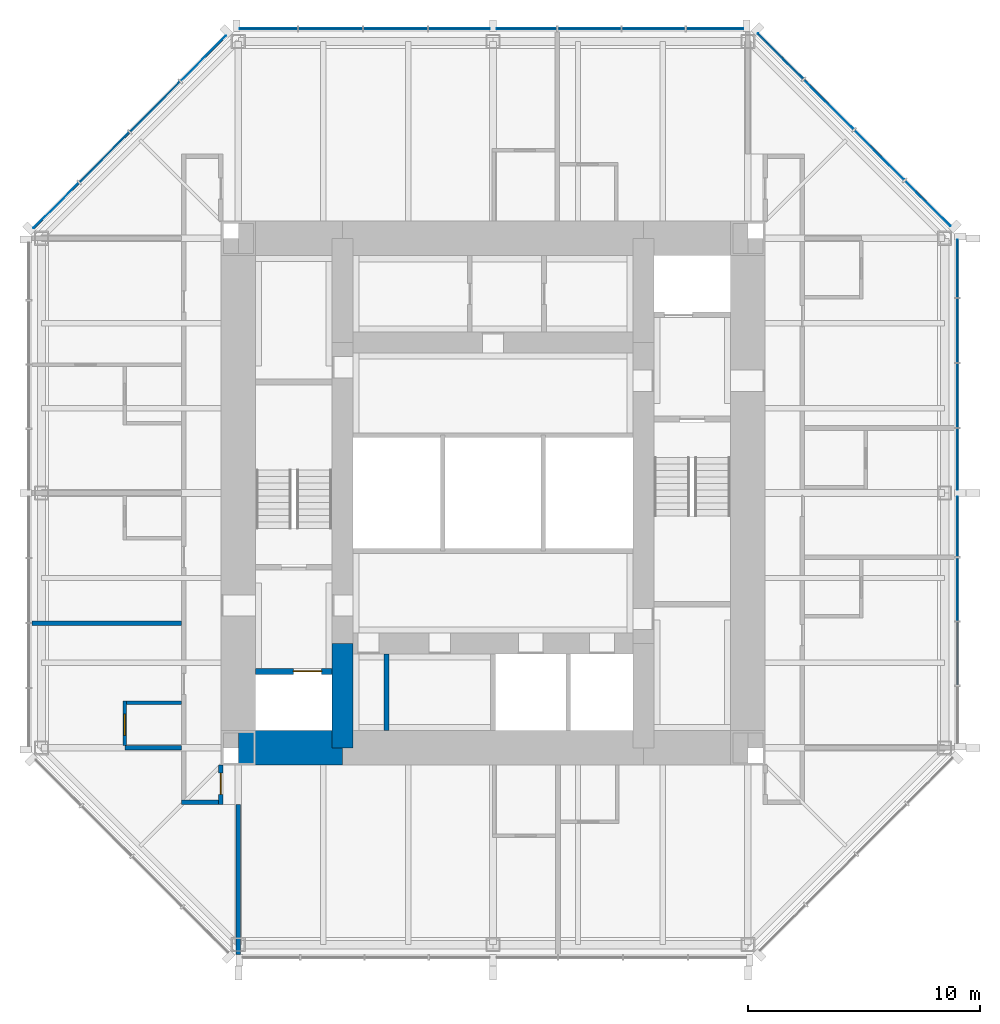
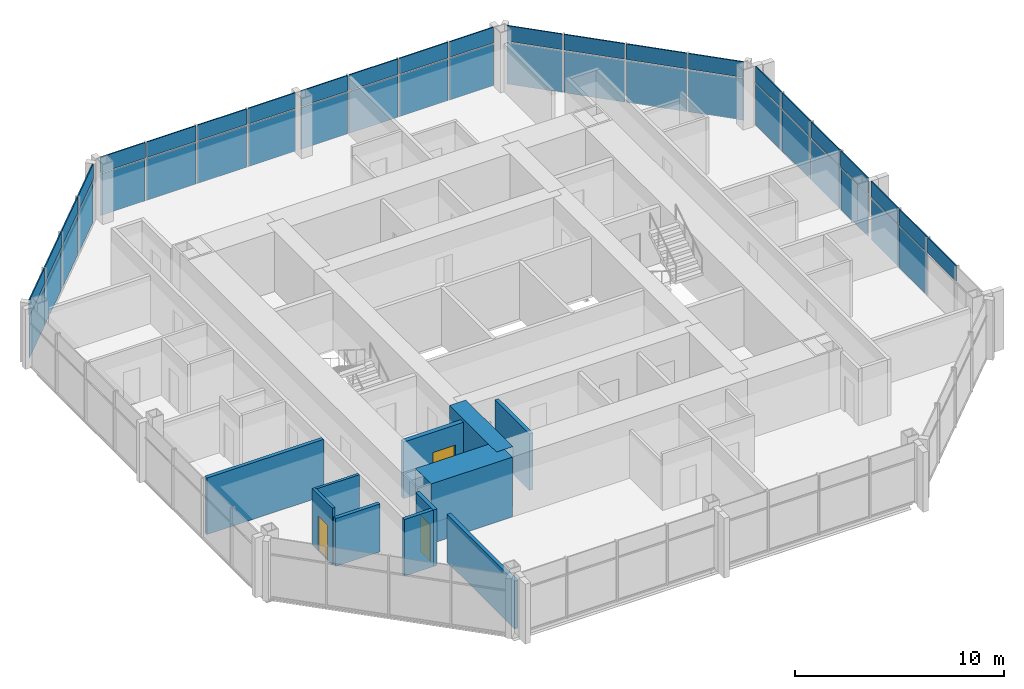
# One storey, part 7 of 11: 45 plates, 11 walls, 3 doors, 3 openings, 4 elements without a shape of their own.
"""IFC4 building model written with IfcOpenShell, lengths in metres."""

from ifc_helpers import new_model, si_unit, direction, frame, frame_2d, origin, origin_2d, place, context, subcontext, project, spatial, rectangle, extrude, material, layer, layer_set, type_object, element, fill, aggregate, save


model = new_model("IFC4")

# Units and contexts
model_context = context("Model", 3, precision=1e-05, world=origin(), true_north=direction((0.0, 1.0)))
body_context = subcontext(model_context, "Body", "Model", "MODEL_VIEW")
ifc_project = project(units=[si_unit("LENGTHUNIT", "METRE"), si_unit("AREAUNIT", "SQUARE_METRE"), si_unit("VOLUMEUNIT", "CUBIC_METRE"), si_unit("PLANEANGLEUNIT", "RADIAN"), si_unit("MASSUNIT", "GRAM", prefix="KILO")], contexts=[model_context])

# Site, building, storey
site_placement = place(None, origin())
site = spatial("IfcSite", under=ifc_project, at=site_placement, CompositionType="ELEMENT")
building_placement = place(site_placement, origin())
building = spatial("IfcBuilding", under=site, at=building_placement, Name="Trevanion Tower", CompositionType="ELEMENT")
storey_placement = place(building_placement, frame((0.0, 0.0, 243.199951171875)))
storey = spatial("IfcBuildingStorey", under=building, at=storey_placement, Name="L59", CompositionType="ELEMENT", Elevation=243.199951171875)

# Curtain wall, plates
ifc_material_1 = material(Name="Aluminium and glass", Category="aluminium")
curtain_wall_type = type_object("IfcCurtainWallType", Name="CW3 curtain wall", PredefinedType="USERDEFINED", material=ifc_material_1)
curtain_wall_1_placement = place(storey_placement, origin())
curtain_wall_1 = element("IfcCurtainWall", 1, at=curtain_wall_1_placement, inside=storey, type_object=curtain_wall_type, Name="CW3 L59 0", ObjectType="UNITISED CURTAIN WALL", PredefinedType="USERDEFINED")
ifc_material_2 = material(Name="Aluminium spandrel panel", Category="aluminium")
ifc_layer_1 = layer(ifc_material_2, 0.06005859375)
ifc_layer_set_1 = layer_set([ifc_layer_1], Name="CW3 spandrel panel")
plate_type_1 = type_object("IfcPlateType", Name="CW3 spandrel panel", PredefinedType="CURTAIN_PANEL", material=ifc_layer_set_1)
plate_1_placement = place(storey_placement, frame((20.050048828125, -6.93603515625, 2.3974609375), z_axis=(0.0, 0.0, 1.0), x_axis=(0.0, 1.0, 0.0)))
plate_1 = element("IfcPlate", 2, at=plate_1_placement, type_object=plate_type_1, Name="CW3 panel 2.2", PredefinedType="CURTAIN_PANEL", context=body_context, shape_type="SweptSolid", body=[
    extrude(rectangle(XDim=2.699462890625, YDim=0.06005859375, at=origin_2d()), origin(), (0.0, 0.0, 1.0), 0.91259765625),
])
plate_2_placement = place(storey_placement, frame((20.050048828125, -4.16162109375, 2.3974609375), z_axis=(0.0, 0.0, 1.0), x_axis=(0.0, 1.0, 0.0)))
plate_2 = element("IfcPlate", 3, at=plate_2_placement, type_object=plate_type_1, Name="CW3 panel 3.2", PredefinedType="CURTAIN_PANEL", context=body_context, shape_type="SweptSolid", body=[
    extrude(rectangle(XDim=2.699462890625, YDim=0.06005859375, at=origin_2d()), origin(), (0.0, 0.0, 1.0), 0.91259765625),
])
plate_3_placement = place(storey_placement, frame((20.050048828125, -1.443603515625, 2.3974609375), z_axis=(0.0, 0.0, 1.0), x_axis=(0.0, 1.0, 0.0)))
plate_3 = element("IfcPlate", 4, at=plate_3_placement, type_object=plate_type_1, Name="CW3 panel 4.2", PredefinedType="CURTAIN_PANEL", context=body_context, shape_type="SweptSolid", body=[
    extrude(rectangle(XDim=2.5869140625, YDim=0.06005859375, at=origin_2d()), origin(), (0.0, 0.0, 1.0), 0.91259765625),
])
plate_4_placement = place(storey_placement, frame((20.050048828125, 1.459716796875, 2.3974609375), z_axis=(0.0, 0.0, 1.0), x_axis=(0.0, 1.0, 0.0)))
plate_4 = element("IfcPlate", 5, at=plate_4_placement, type_object=plate_type_1, Name="CW3 panel 5.2", PredefinedType="CURTAIN_PANEL", context=body_context, shape_type="SweptSolid", body=[
    extrude(rectangle(XDim=2.619384765625, YDim=0.06005859375, at=origin_2d()), origin(), (0.0, 0.0, 1.0), 0.91259765625),
])
plate_5_placement = place(storey_placement, frame((20.050048828125, 4.21044921875, 2.3974609375), z_axis=(0.0, 0.0, 1.0), x_axis=(0.0, 1.0, 0.0)))
plate_5 = element("IfcPlate", 6, at=plate_5_placement, type_object=plate_type_1, Name="CW3 panel 6.2", PredefinedType="CURTAIN_PANEL", context=body_context, shape_type="SweptSolid", body=[
    extrude(rectangle(XDim=2.73193359375, YDim=0.06005859375, at=origin_2d()), origin(), (0.0, 0.0, 1.0), 0.91259765625),
])
plate_6_placement = place(storey_placement, frame((20.050048828125, 7.017333984375, 2.3974609375), z_axis=(0.0, 0.0, 1.0), x_axis=(0.0, 1.0, 0.0)))
plate_6 = element("IfcPlate", 7, at=plate_6_placement, type_object=plate_type_1, Name="CW3 panel 7.2", PredefinedType="CURTAIN_PANEL", context=body_context, shape_type="SweptSolid", body=[
    extrude(rectangle(XDim=2.73193359375, YDim=0.06005859375, at=origin_2d()), origin(), (0.0, 0.0, 1.0), 0.91259765625),
])
plate_7_placement = place(storey_placement, frame((20.050048828125, 9.693115234375, 2.3974609375), z_axis=(0.0, 0.0, 1.0), x_axis=(0.0, 1.0, 0.0)))
plate_7 = element("IfcPlate", 8, at=plate_7_placement, type_object=plate_type_1, Name="CW3 panel 8.2", PredefinedType="CURTAIN_PANEL", context=body_context, shape_type="SweptSolid", body=[
    extrude(rectangle(XDim=2.469482421875, YDim=0.06005859375, at=origin_2d()), origin(), (0.0, 0.0, 1.0), 0.91259765625),
])

curtain_wall_2_placement = place(storey_placement, origin())
curtain_wall_2 = element("IfcCurtainWall", 9, at=curtain_wall_2_placement, inside=storey, type_object=curtain_wall_type, Name="CW3 L59 1", ObjectType="UNITISED CURTAIN WALL", PredefinedType="USERDEFINED")
plate_8_placement = place(storey_placement, frame((18.77392578125, 12.50390625, 2.3974609375), z_axis=(0.0, 0.0, 1.0), x_axis=(-0.707106781187, 0.707106781187, 0.0)))
plate_8 = element("IfcPlate", 10, at=plate_8_placement, type_object=plate_type_1, Name="CW3 panel 1.2", PredefinedType="CURTAIN_PANEL", context=body_context, shape_type="SweptSolid", body=[
    extrude(rectangle(XDim=2.7490234375, YDim=0.06005859375, at=origin_2d()), origin(), (0.0, 0.0, 1.0), 0.91259765625),
])
plate_9_placement = place(storey_placement, frame((16.68408203125, 14.593505859375, 2.3974609375), z_axis=(0.0, 0.0, 1.0), x_axis=(-0.707106781187, 0.707106781187, 0.0)))
plate_9 = element("IfcPlate", 11, at=plate_9_placement, type_object=plate_type_1, Name="CW3 panel 2.2", PredefinedType="CURTAIN_PANEL", context=body_context, shape_type="SweptSolid", body=[
    extrude(rectangle(XDim=3.01171875, YDim=0.06005859375, at=origin_2d()), origin(), (0.0, 0.0, 1.0), 0.91259765625),
])
plate_10_placement = place(storey_placement, frame((14.501708984375, 16.776123046875, 2.3974609375), z_axis=(0.0, 0.0, 1.0), x_axis=(-0.707106781187, 0.707106781187, 0.0)))
plate_10 = element("IfcPlate", 12, at=plate_10_placement, type_object=plate_type_1, Name="CW3 panel 3.2", PredefinedType="CURTAIN_PANEL", context=body_context, shape_type="SweptSolid", body=[
    extrude(rectangle(XDim=3.01171875, YDim=0.06005859375, at=origin_2d()), origin(), (0.0, 0.0, 1.0), 0.91259765625),
])
plate_11_placement = place(storey_placement, frame((12.411865234375, 18.865966796875, 2.3974609375), z_axis=(0.0, 0.0, 1.0), x_axis=(-0.707106781187, 0.707106781187, 0.0)))
plate_11 = element("IfcPlate", 13, at=plate_11_placement, type_object=plate_type_1, Name="CW3 panel 4.2", PredefinedType="CURTAIN_PANEL", context=body_context, shape_type="SweptSolid", body=[
    extrude(rectangle(XDim=2.7490234375, YDim=0.06005859375, at=origin_2d()), origin(), (0.0, 0.0, 1.0), 0.91259765625),
])

curtain_wall_3_placement = place(storey_placement, origin())
curtain_wall_3 = element("IfcCurtainWall", 14, at=curtain_wall_3_placement, inside=storey, type_object=curtain_wall_type, Name="CW3 L59 2", ObjectType="UNITISED CURTAIN WALL", PredefinedType="USERDEFINED")
plate_12_placement = place(storey_placement, frame((9.579345703125, 20.050048828125, 2.3974609375), z_axis=(0.0, 0.0, 1.0), x_axis=(-1.0, 0.0, 0.0)))
plate_12 = element("IfcPlate", 15, at=plate_12_placement, type_object=plate_type_1, Name="CW3 panel 1.2", PredefinedType="CURTAIN_PANEL", context=body_context, shape_type="SweptSolid", body=[
    extrude(rectangle(XDim=2.43701171875, YDim=0.06005859375, at=origin_2d()), origin(), (0.0, 0.0, 1.0), 0.91259765625),
])
plate_13_placement = place(storey_placement, frame((6.93603515625, 20.050048828125, 2.3974609375), z_axis=(0.0, 0.0, 1.0), x_axis=(-1.0, 0.0, 0.0)))
plate_13 = element("IfcPlate", 16, at=plate_13_placement, type_object=plate_type_1, Name="CW3 panel 2.2", PredefinedType="CURTAIN_PANEL", context=body_context, shape_type="SweptSolid", body=[
    extrude(rectangle(XDim=2.699462890625, YDim=0.06005859375, at=origin_2d()), origin(), (0.0, 0.0, 1.0), 0.91259765625),
])
plate_14_placement = place(storey_placement, frame((4.16162109375, 20.050048828125, 2.3974609375), z_axis=(0.0, 0.0, 1.0), x_axis=(-1.0, 0.0, 0.0)))
plate_14 = element("IfcPlate", 17, at=plate_14_placement, type_object=plate_type_1, Name="CW3 panel 3.2", PredefinedType="CURTAIN_PANEL", context=body_context, shape_type="SweptSolid", body=[
    extrude(rectangle(XDim=2.699462890625, YDim=0.06005859375, at=origin_2d()), origin(), (0.0, 0.0, 1.0), 0.91259765625),
])
plate_15_placement = place(storey_placement, frame((1.443603515625, 20.050048828125, 2.3974609375), z_axis=(0.0, 0.0, 1.0), x_axis=(-1.0, 0.0, 0.0)))
plate_15 = element("IfcPlate", 18, at=plate_15_placement, type_object=plate_type_1, Name="CW3 panel 4.2", PredefinedType="CURTAIN_PANEL", context=body_context, shape_type="SweptSolid", body=[
    extrude(rectangle(XDim=2.5869140625, YDim=0.06005859375, at=origin_2d()), origin(), (0.0, 0.0, 1.0), 0.91259765625),
])
plate_16_placement = place(storey_placement, frame((-1.459716796875, 20.050048828125, 2.3974609375), z_axis=(0.0, 0.0, 1.0), x_axis=(-1.0, 0.0, 0.0)))
plate_16 = element("IfcPlate", 19, at=plate_16_placement, type_object=plate_type_1, Name="CW3 panel 5.2", PredefinedType="CURTAIN_PANEL", context=body_context, shape_type="SweptSolid", body=[
    extrude(rectangle(XDim=2.619384765625, YDim=0.06005859375, at=origin_2d()), origin(), (0.0, 0.0, 1.0), 0.91259765625),
])
plate_17_placement = place(storey_placement, frame((-4.21044921875, 20.050048828125, 2.3974609375), z_axis=(0.0, 0.0, 1.0), x_axis=(-1.0, 0.0, 0.0)))
plate_17 = element("IfcPlate", 20, at=plate_17_placement, type_object=plate_type_1, Name="CW3 panel 6.2", PredefinedType="CURTAIN_PANEL", context=body_context, shape_type="SweptSolid", body=[
    extrude(rectangle(XDim=2.73193359375, YDim=0.06005859375, at=origin_2d()), origin(), (0.0, 0.0, 1.0), 0.91259765625),
])
plate_18_placement = place(storey_placement, frame((-7.017333984375, 20.050048828125, 2.3974609375), z_axis=(0.0, 0.0, 1.0), x_axis=(-1.0, 0.0, 0.0)))
plate_18 = element("IfcPlate", 21, at=plate_18_placement, type_object=plate_type_1, Name="CW3 panel 7.2", PredefinedType="CURTAIN_PANEL", context=body_context, shape_type="SweptSolid", body=[
    extrude(rectangle(XDim=2.73193359375, YDim=0.06005859375, at=origin_2d()), origin(), (0.0, 0.0, 1.0), 0.91259765625),
])
plate_19_placement = place(storey_placement, frame((-9.693115234375, 20.050048828125, 2.3974609375), z_axis=(0.0, 0.0, 1.0), x_axis=(-1.0, 0.0, 0.0)))
plate_19 = element("IfcPlate", 22, at=plate_19_placement, type_object=plate_type_1, Name="CW3 panel 8.2", PredefinedType="CURTAIN_PANEL", context=body_context, shape_type="SweptSolid", body=[
    extrude(rectangle(XDim=2.469482421875, YDim=0.06005859375, at=origin_2d()), origin(), (0.0, 0.0, 1.0), 0.91259765625),
])

curtain_wall_4_placement = place(storey_placement, origin())
curtain_wall_4 = element("IfcCurtainWall", 23, at=curtain_wall_4_placement, inside=storey, type_object=curtain_wall_type, Name="CW3 L59 3", ObjectType="UNITISED CURTAIN WALL", PredefinedType="USERDEFINED")
plate_20_placement = place(storey_placement, frame((-12.50390625, 18.77392578125, 2.3974609375), z_axis=(0.0, 0.0, 1.0), x_axis=(-0.707106781187, -0.707106781187, 0.0)))
plate_20 = element("IfcPlate", 24, at=plate_20_placement, type_object=plate_type_1, Name="CW3 panel 1.2", PredefinedType="CURTAIN_PANEL", context=body_context, shape_type="SweptSolid", body=[
    extrude(rectangle(XDim=2.7490234375, YDim=0.06005859375, at=origin_2d()), origin(), (0.0, 0.0, 1.0), 0.91259765625),
])
plate_21_placement = place(storey_placement, frame((-14.593505859375, 16.68408203125, 2.3974609375), z_axis=(0.0, 0.0, 1.0), x_axis=(-0.707106781187, -0.707106781187, 0.0)))
plate_21 = element("IfcPlate", 25, at=plate_21_placement, type_object=plate_type_1, Name="CW3 panel 2.2", PredefinedType="CURTAIN_PANEL", context=body_context, shape_type="SweptSolid", body=[
    extrude(rectangle(XDim=3.01171875, YDim=0.06005859375, at=origin_2d()), origin(), (0.0, 0.0, 1.0), 0.91259765625),
])
plate_22_placement = place(storey_placement, frame((-16.776123046875, 14.501708984375, 2.3974609375), z_axis=(0.0, 0.0, 1.0), x_axis=(-0.707106781187, -0.707106781187, 0.0)))
plate_22 = element("IfcPlate", 26, at=plate_22_placement, type_object=plate_type_1, Name="CW3 panel 3.2", PredefinedType="CURTAIN_PANEL", context=body_context, shape_type="SweptSolid", body=[
    extrude(rectangle(XDim=3.01171875, YDim=0.06005859375, at=origin_2d()), origin(), (0.0, 0.0, 1.0), 0.91259765625),
])
plate_23_placement = place(storey_placement, frame((-18.865966796875, 12.411865234375, 2.3974609375), z_axis=(0.0, 0.0, 1.0), x_axis=(-0.707106781187, -0.707106781187, 0.0)))
plate_23 = element("IfcPlate", 27, at=plate_23_placement, type_object=plate_type_1, Name="CW3 panel 4.2", PredefinedType="CURTAIN_PANEL", context=body_context, shape_type="SweptSolid", body=[
    extrude(rectangle(XDim=2.7490234375, YDim=0.06005859375, at=origin_2d()), origin(), (0.0, 0.0, 1.0), 0.91259765625),
])

# Plate
ifc_material_3 = material(Name="Insulating glass unit", Category="glass")
ifc_layer_2 = layer(ifc_material_3, 0.028076171875)
ifc_layer_set_2 = layer_set([ifc_layer_2], Name="CW3 vision panel")
plate_type_2 = type_object("IfcPlateType", Name="CW3 vision panel", PredefinedType="CURTAIN_PANEL", material=ifc_layer_set_2)
plate_24_placement = place(storey_placement, frame((20.050048828125, -4.16162109375, -0.114990234375), z_axis=(0.0, 0.0, 1.0), x_axis=(0.0, 1.0, 0.0)))
plate_24 = element("IfcPlate", 28, at=plate_24_placement, type_object=plate_type_2, Name="CW3 panel 3.1", PredefinedType="CURTAIN_PANEL", context=body_context, shape_type="SweptSolid", body=[
    extrude(rectangle(XDim=2.699462890625, YDim=0.028076171875, at=origin_2d()), origin(), (0.0, 0.0, 1.0), 2.4375),
])

plate_25_placement = place(storey_placement, frame((20.050048828125, -1.443603515625, -0.114990234375), z_axis=(0.0, 0.0, 1.0), x_axis=(0.0, 1.0, 0.0)))
plate_25 = element("IfcPlate", 29, at=plate_25_placement, type_object=plate_type_2, Name="CW3 panel 4.1", PredefinedType="CURTAIN_PANEL", context=body_context, shape_type="SweptSolid", body=[
    extrude(rectangle(XDim=2.5869140625, YDim=0.028076171875, at=origin_2d()), origin(), (0.0, 0.0, 1.0), 2.4375),
])

plate_26_placement = place(storey_placement, frame((20.050048828125, 1.459716796875, -0.114990234375), z_axis=(0.0, 0.0, 1.0), x_axis=(0.0, 1.0, 0.0)))
plate_26 = element("IfcPlate", 30, at=plate_26_placement, type_object=plate_type_2, Name="CW3 panel 5.1", PredefinedType="CURTAIN_PANEL", context=body_context, shape_type="SweptSolid", body=[
    extrude(rectangle(XDim=2.619384765625, YDim=0.028076171875, at=origin_2d()), origin(), (0.0, 0.0, 1.0), 2.4375),
])

plate_27_placement = place(storey_placement, frame((20.050048828125, 4.21044921875, -0.114990234375), z_axis=(0.0, 0.0, 1.0), x_axis=(0.0, 1.0, 0.0)))
plate_27 = element("IfcPlate", 31, at=plate_27_placement, type_object=plate_type_2, Name="CW3 panel 6.1", PredefinedType="CURTAIN_PANEL", context=body_context, shape_type="SweptSolid", body=[
    extrude(rectangle(XDim=2.73193359375, YDim=0.028076171875, at=origin_2d()), origin(), (0.0, 0.0, 1.0), 2.4375),
])

plate_28_placement = place(storey_placement, frame((20.050048828125, 7.017333984375, -0.114990234375), z_axis=(0.0, 0.0, 1.0), x_axis=(0.0, 1.0, 0.0)))
plate_28 = element("IfcPlate", 32, at=plate_28_placement, type_object=plate_type_2, Name="CW3 panel 7.1", PredefinedType="CURTAIN_PANEL", context=body_context, shape_type="SweptSolid", body=[
    extrude(rectangle(XDim=2.73193359375, YDim=0.028076171875, at=origin_2d()), origin(), (0.0, 0.0, 1.0), 2.4375),
])

plate_29_placement = place(storey_placement, frame((20.050048828125, 9.693115234375, -0.114990234375), z_axis=(0.0, 0.0, 1.0), x_axis=(0.0, 1.0, 0.0)))
plate_29 = element("IfcPlate", 33, at=plate_29_placement, type_object=plate_type_2, Name="CW3 panel 8.1", PredefinedType="CURTAIN_PANEL", context=body_context, shape_type="SweptSolid", body=[
    extrude(rectangle(XDim=2.469482421875, YDim=0.028076171875, at=origin_2d()), origin(), (0.0, 0.0, 1.0), 2.4375),
])

aggregate(curtain_wall_1, [plate_1, plate_24, plate_2, plate_25, plate_3, plate_26, plate_4, plate_27, plate_5, plate_28, plate_6, plate_29, plate_7])

plate_30_placement = place(storey_placement, frame((18.77392578125, 12.50390625, -0.114990234375), z_axis=(0.0, 0.0, 1.0), x_axis=(-0.707106781187, 0.707106781187, 0.0)))
plate_30 = element("IfcPlate", 34, at=plate_30_placement, type_object=plate_type_2, Name="CW3 panel 1.1", PredefinedType="CURTAIN_PANEL", context=body_context, shape_type="SweptSolid", body=[
    extrude(rectangle(XDim=2.7490234375, YDim=0.028076171875, at=origin_2d()), origin(), (0.0, 0.0, 1.0), 2.4375),
])

plate_31_placement = place(storey_placement, frame((16.68408203125, 14.593505859375, -0.114990234375), z_axis=(0.0, 0.0, 1.0), x_axis=(-0.707106781187, 0.707106781187, 0.0)))
plate_31 = element("IfcPlate", 35, at=plate_31_placement, type_object=plate_type_2, Name="CW3 panel 2.1", PredefinedType="CURTAIN_PANEL", context=body_context, shape_type="SweptSolid", body=[
    extrude(rectangle(XDim=3.01171875, YDim=0.028076171875, at=origin_2d()), origin(), (0.0, 0.0, 1.0), 2.4375),
])

plate_32_placement = place(storey_placement, frame((14.501708984375, 16.776123046875, -0.114990234375), z_axis=(0.0, 0.0, 1.0), x_axis=(-0.707106781187, 0.707106781187, 0.0)))
plate_32 = element("IfcPlate", 36, at=plate_32_placement, type_object=plate_type_2, Name="CW3 panel 3.1", PredefinedType="CURTAIN_PANEL", context=body_context, shape_type="SweptSolid", body=[
    extrude(rectangle(XDim=3.01171875, YDim=0.028076171875, at=origin_2d()), origin(), (0.0, 0.0, 1.0), 2.4375),
])

plate_33_placement = place(storey_placement, frame((12.411865234375, 18.865966796875, -0.114990234375), z_axis=(0.0, 0.0, 1.0), x_axis=(-0.707106781187, 0.707106781187, 0.0)))
plate_33 = element("IfcPlate", 37, at=plate_33_placement, type_object=plate_type_2, Name="CW3 panel 4.1", PredefinedType="CURTAIN_PANEL", context=body_context, shape_type="SweptSolid", body=[
    extrude(rectangle(XDim=2.7490234375, YDim=0.028076171875, at=origin_2d()), origin(), (0.0, 0.0, 1.0), 2.4375),
])

aggregate(curtain_wall_2, [plate_30, plate_8, plate_31, plate_9, plate_32, plate_10, plate_33, plate_11])

plate_34_placement = place(storey_placement, frame((9.579345703125, 20.050048828125, -0.114990234375), z_axis=(0.0, 0.0, 1.0), x_axis=(-1.0, 0.0, 0.0)))
plate_34 = element("IfcPlate", 38, at=plate_34_placement, type_object=plate_type_2, Name="CW3 panel 1.1", PredefinedType="CURTAIN_PANEL", context=body_context, shape_type="SweptSolid", body=[
    extrude(rectangle(XDim=2.43701171875, YDim=0.028076171875, at=origin_2d()), origin(), (0.0, 0.0, 1.0), 2.4375),
])

plate_35_placement = place(storey_placement, frame((6.93603515625, 20.050048828125, -0.114990234375), z_axis=(0.0, 0.0, 1.0), x_axis=(-1.0, 0.0, 0.0)))
plate_35 = element("IfcPlate", 39, at=plate_35_placement, type_object=plate_type_2, Name="CW3 panel 2.1", PredefinedType="CURTAIN_PANEL", context=body_context, shape_type="SweptSolid", body=[
    extrude(rectangle(XDim=2.699462890625, YDim=0.028076171875, at=origin_2d()), origin(), (0.0, 0.0, 1.0), 2.4375),
])

plate_36_placement = place(storey_placement, frame((4.16162109375, 20.050048828125, -0.114990234375), z_axis=(0.0, 0.0, 1.0), x_axis=(-1.0, 0.0, 0.0)))
plate_36 = element("IfcPlate", 40, at=plate_36_placement, type_object=plate_type_2, Name="CW3 panel 3.1", PredefinedType="CURTAIN_PANEL", context=body_context, shape_type="SweptSolid", body=[
    extrude(rectangle(XDim=2.699462890625, YDim=0.028076171875, at=origin_2d()), origin(), (0.0, 0.0, 1.0), 2.4375),
])

plate_37_placement = place(storey_placement, frame((1.443603515625, 20.050048828125, -0.114990234375), z_axis=(0.0, 0.0, 1.0), x_axis=(-1.0, 0.0, 0.0)))
plate_37 = element("IfcPlate", 41, at=plate_37_placement, type_object=plate_type_2, Name="CW3 panel 4.1", PredefinedType="CURTAIN_PANEL", context=body_context, shape_type="SweptSolid", body=[
    extrude(rectangle(XDim=2.5869140625, YDim=0.028076171875, at=origin_2d()), origin(), (0.0, 0.0, 1.0), 2.4375),
])

plate_38_placement = place(storey_placement, frame((-1.459716796875, 20.050048828125, -0.114990234375), z_axis=(0.0, 0.0, 1.0), x_axis=(-1.0, 0.0, 0.0)))
plate_38 = element("IfcPlate", 42, at=plate_38_placement, type_object=plate_type_2, Name="CW3 panel 5.1", PredefinedType="CURTAIN_PANEL", context=body_context, shape_type="SweptSolid", body=[
    extrude(rectangle(XDim=2.619384765625, YDim=0.028076171875, at=origin_2d()), origin(), (0.0, 0.0, 1.0), 2.4375),
])

plate_39_placement = place(storey_placement, frame((-4.21044921875, 20.050048828125, -0.114990234375), z_axis=(0.0, 0.0, 1.0), x_axis=(-1.0, 0.0, 0.0)))
plate_39 = element("IfcPlate", 43, at=plate_39_placement, type_object=plate_type_2, Name="CW3 panel 6.1", PredefinedType="CURTAIN_PANEL", context=body_context, shape_type="SweptSolid", body=[
    extrude(rectangle(XDim=2.73193359375, YDim=0.028076171875, at=origin_2d()), origin(), (0.0, 0.0, 1.0), 2.4375),
])

plate_40_placement = place(storey_placement, frame((-7.017333984375, 20.050048828125, -0.114990234375), z_axis=(0.0, 0.0, 1.0), x_axis=(-1.0, 0.0, 0.0)))
plate_40 = element("IfcPlate", 44, at=plate_40_placement, type_object=plate_type_2, Name="CW3 panel 7.1", PredefinedType="CURTAIN_PANEL", context=body_context, shape_type="SweptSolid", body=[
    extrude(rectangle(XDim=2.73193359375, YDim=0.028076171875, at=origin_2d()), origin(), (0.0, 0.0, 1.0), 2.4375),
])

plate_41_placement = place(storey_placement, frame((-9.693115234375, 20.050048828125, -0.114990234375), z_axis=(0.0, 0.0, 1.0), x_axis=(-1.0, 0.0, 0.0)))
plate_41 = element("IfcPlate", 45, at=plate_41_placement, type_object=plate_type_2, Name="CW3 panel 8.1", PredefinedType="CURTAIN_PANEL", context=body_context, shape_type="SweptSolid", body=[
    extrude(rectangle(XDim=2.469482421875, YDim=0.028076171875, at=origin_2d()), origin(), (0.0, 0.0, 1.0), 2.4375),
])

aggregate(curtain_wall_3, [plate_34, plate_12, plate_35, plate_13, plate_36, plate_14, plate_37, plate_15, plate_38, plate_16, plate_39, plate_17, plate_40, plate_18, plate_41, plate_19])

plate_42_placement = place(storey_placement, frame((-12.50390625, 18.77392578125, -0.114990234375), z_axis=(0.0, 0.0, 1.0), x_axis=(-0.707106781187, -0.707106781187, 0.0)))
plate_42 = element("IfcPlate", 46, at=plate_42_placement, type_object=plate_type_2, Name="CW3 panel 1.1", PredefinedType="CURTAIN_PANEL", context=body_context, shape_type="SweptSolid", body=[
    extrude(rectangle(XDim=2.7490234375, YDim=0.028076171875, at=origin_2d()), origin(), (0.0, 0.0, 1.0), 2.4375),
])

plate_43_placement = place(storey_placement, frame((-14.593505859375, 16.68408203125, -0.114990234375), z_axis=(0.0, 0.0, 1.0), x_axis=(-0.707106781187, -0.707106781187, 0.0)))
plate_43 = element("IfcPlate", 47, at=plate_43_placement, type_object=plate_type_2, Name="CW3 panel 2.1", PredefinedType="CURTAIN_PANEL", context=body_context, shape_type="SweptSolid", body=[
    extrude(rectangle(XDim=3.01171875, YDim=0.028076171875, at=origin_2d()), origin(), (0.0, 0.0, 1.0), 2.4375),
])

plate_44_placement = place(storey_placement, frame((-16.776123046875, 14.501708984375, -0.114990234375), z_axis=(0.0, 0.0, 1.0), x_axis=(-0.707106781187, -0.707106781187, 0.0)))
plate_44 = element("IfcPlate", 48, at=plate_44_placement, type_object=plate_type_2, Name="CW3 panel 3.1", PredefinedType="CURTAIN_PANEL", context=body_context, shape_type="SweptSolid", body=[
    extrude(rectangle(XDim=3.01171875, YDim=0.028076171875, at=origin_2d()), origin(), (0.0, 0.0, 1.0), 2.4375),
])

plate_45_placement = place(storey_placement, frame((-18.865966796875, 12.411865234375, -0.114990234375), z_axis=(0.0, 0.0, 1.0), x_axis=(-0.707106781187, -0.707106781187, 0.0)))
plate_45 = element("IfcPlate", 49, at=plate_45_placement, type_object=plate_type_2, Name="CW3 panel 4.1", PredefinedType="CURTAIN_PANEL", context=body_context, shape_type="SweptSolid", body=[
    extrude(rectangle(XDim=2.7490234375, YDim=0.028076171875, at=origin_2d()), origin(), (0.0, 0.0, 1.0), 2.4375),
])

aggregate(curtain_wall_4, [plate_42, plate_20, plate_43, plate_21, plate_44, plate_22, plate_45, plate_23])

# Walls
ifc_material_4 = material(Name="Concrete 10,000 psi", Category="concrete")
ifc_layer_3 = layer(ifc_material_4, 1.5)
ifc_layer_set_3 = layer_set([ifc_layer_3], Name="CW1 core wall 1500")
wall_type_1 = type_object("IfcWallType", Name="CW1 core wall 1500", PredefinedType="SHEAR", material=ifc_layer_set_3)
wall_1_placement = place(storey_placement, frame((-11.0, -11.0, 0.0), z_axis=(0.0, 0.0, 1.0), x_axis=(1.0, 0.0, 0.0)))
element("IfcWall", 50, at=wall_1_placement, inside=storey, type_object=wall_type_1, Name="CW1 CS1 L59", PredefinedType="SHEAR", context=body_context, shape_type="SweptSolid", body=[
    extrude(rectangle(XDim=4.5, YDim=1.5, at=frame_2d((2.25, 0.0))), origin(), (0.0, 0.0, 1.0), 3.5),
])
ifc_material_5 = material(Name="Concrete 10,000 psi", Category="concrete")
ifc_layer_4 = layer(ifc_material_5, 0.89990234375)
ifc_layer_set_4 = layer_set([ifc_layer_4], Name="CW2 core wall 900")
wall_type_2 = type_object("IfcWallType", Name="CW2 core wall 900", PredefinedType="SHEAR", material=ifc_layer_set_4)
wall_2_placement = place(storey_placement, frame((-6.5, -6.5, 0.0), z_axis=(0.0, 0.0, 1.0), x_axis=(0.0, -1.0, 0.0)))
element("IfcWall", 51, at=wall_2_placement, inside=storey, type_object=wall_type_2, Name="CW2 RW3 L59", PredefinedType="SHEAR", context=body_context, shape_type="SweptSolid", body=[
    extrude(rectangle(XDim=4.5, YDim=0.89990234375, at=frame_2d((2.25, 0.0))), origin(), (0.0, 0.0, 1.0), 3.5),
])

# Wall, opening, door
ifc_material_6 = material(Name="Gypsum board on steel studs", Category="steel")
ifc_layer_5 = layer(ifc_material_6, 0.14990234375)
ifc_layer_set_5 = layer_set([ifc_layer_5], Name="PT1 partition 150")
wall_type_3 = type_object("IfcWallType", Name="PT1 partition 150", PredefinedType="PARTITIONING", material=ifc_layer_set_5)
wall_3_placement = place(storey_placement, frame((-15.89990234375, -8.97509765625, 0.0), z_axis=(0.0, 0.0, 1.0), x_axis=(0.0, -1.0, 0.0)))
wall_3 = element("IfcWall", 52, at=wall_3_placement, inside=storey, type_object=wall_type_3, Name="PT1 L59 BA22", PredefinedType="PARTITIONING", context=body_context, shape_type="SweptSolid", body=[
    extrude(rectangle(XDim=1.9248046875, YDim=0.14990234375, at=frame_2d((0.96240234375, 0.0))), origin(), (0.0, 0.0, 1.0), 3.31005859375),
])
opening_1_placement = place(wall_3_placement, frame((0.5673828125, 0.0, 0.0)))
opening_1 = element("IfcOpeningElement", 53, at=opening_1_placement, cuts=wall_3, Name="Opening 59-033", PredefinedType="OPENING", context=body_context, shape_type="SweptSolid", body=[
    extrude(rectangle(XDim=0.9150390625, YDim=2.031982421875, at=frame_2d((0.45751953125, 1.01611328125))), frame((0.0, 0.0849609375, 0.0), z_axis=(0.0, -1.0, 0.0), x_axis=(1.0, 0.0, 0.0)), (0.0, 0.0, 1.0), 0.169921875),
])
ifc_material_7 = material(Name="Timber veneer", Category="wood")
door_type_1 = type_object("IfcDoorType", Name="D7 bathroom door", OperationType="SINGLE_SWING_LEFT", PredefinedType="DOOR", material=ifc_material_7)
door_1_placement = place(opening_1_placement, origin())
door_1 = element("IfcDoor", 54, at=door_1_placement, inside=storey, type_object=door_type_1, Name="Door 59-033", OperationType="SINGLE_SWING_LEFT", OverallHeight=2.031982421875, OverallWidth=0.9150390625, PredefinedType="DOOR", context=body_context, shape_type="SweptSolid", body=[
    extrude(rectangle(XDim=0.9150390625, YDim=2.031982421875, at=frame_2d((0.45751953125, 1.01611328125))), frame((0.0, 0.02490234375, 0.0), z_axis=(0.0, -1.0, 0.0), x_axis=(1.0, 0.0, 0.0)), (0.0, 0.0, 1.0), 0.050048828125),
])
fill(opening_1, door_1)

# Walls
wall_4_placement = place(storey_placement, frame((-13.449951171875, -9.050048828125, 0.0), z_axis=(0.0, 0.0, 1.0), x_axis=(-1.0, 0.0, 0.0)))
element("IfcWall", 55, at=wall_4_placement, inside=storey, type_object=wall_type_3, Name="PT1 L59 BB22", PredefinedType="PARTITIONING", context=body_context, shape_type="SweptSolid", body=[
    extrude(rectangle(XDim=2.375, YDim=0.14990234375, at=frame_2d((1.1875, 0.0))), origin(), (0.0, 0.0, 1.0), 3.31005859375),
])
ifc_material_8 = material(Name="Concrete masonry, grouted", Category="masonry")
ifc_layer_6 = layer(ifc_material_8, 0.199951171875)
ifc_layer_set_6 = layer_set([ifc_layer_6], Name="PT2 partition 200 1 HR")
wall_type_4 = type_object("IfcWallType", Name="PT2 partition 200 1 HR", PredefinedType="PARTITIONING", material=ifc_layer_set_6)
wall_5_placement = place(storey_placement, frame((-4.60009765625, -10.25, 0.0), z_axis=(0.0, 0.0, 1.0), x_axis=(0.0, 1.0, 0.0)))
element("IfcWall", 56, at=wall_5_placement, inside=storey, type_object=wall_type_4, Name="PT2 L59 SI0", PredefinedType="PARTITIONING", context=body_context, shape_type="SweptSolid", body=[
    extrude(rectangle(XDim=3.300048828125, YDim=0.199951171875, at=frame_2d((1.64990234375, 0.0))), origin(), (0.0, 0.0, 1.0), 3.31005859375),
])

# Wall, opening, door
wall_6_placement = place(storey_placement, frame((-11.75, -11.75, 0.0), z_axis=(0.0, 0.0, 1.0), x_axis=(0.0, -1.0, 0.0)))
wall_6 = element("IfcWall", 57, at=wall_6_placement, inside=storey, type_object=wall_type_4, Name="PT2 L59 HO3a", PredefinedType="PARTITIONING", context=body_context, shape_type="SweptSolid", body=[
    extrude(rectangle(XDim=1.699951171875, YDim=0.199951171875, at=frame_2d((0.85009765625, 0.0))), origin(), (0.0, 0.0, 1.0), 3.31005859375),
])
opening_2_placement = place(wall_6_placement, frame((0.342529296875, 0.0, 0.0)))
opening_2 = element("IfcOpeningElement", 58, at=opening_2_placement, cuts=wall_6, Name="Opening 59-035", PredefinedType="OPENING", context=body_context, shape_type="SweptSolid", body=[
    extrude(rectangle(XDim=0.9150390625, YDim=2.134033203125, at=frame_2d((0.45751953125, 1.06689453125))), frame((0.0, 0.10986328125, 0.0), z_axis=(0.0, -1.0, 0.0), x_axis=(1.0, 0.0, 0.0)), (0.0, 0.0, 1.0), 0.219970703125),
])
ifc_material_9 = material(Name="Timber veneer, fire rated", Category="wood")
door_type_2 = type_object("IfcDoorType", Name="D6 guest room entrance door", OperationType="SINGLE_SWING_LEFT", PredefinedType="DOOR", material=ifc_material_9)
door_2_placement = place(opening_2_placement, origin())
door_2 = element("IfcDoor", 59, at=door_2_placement, inside=storey, type_object=door_type_2, Name="Door 59-035", OperationType="SINGLE_SWING_LEFT", OverallHeight=2.134033203125, OverallWidth=0.9150390625, PredefinedType="DOOR", context=body_context, shape_type="SweptSolid", body=[
    extrude(rectangle(XDim=0.9150390625, YDim=2.134033203125, at=frame_2d((0.45751953125, 1.06689453125))), frame((0.0, 0.02490234375, 0.0), z_axis=(0.0, -1.0, 0.0), x_axis=(1.0, 0.0, 0.0)), (0.0, 0.0, 1.0), 0.050048828125),
])
fill(opening_2, door_2)

# Walls
wall_7_placement = place(storey_placement, frame((-13.449951171875, -13.35009765625, 0.0), z_axis=(0.0, 0.0, 1.0), x_axis=(1.0, 0.0, 0.0)))
element("IfcWall", 60, at=wall_7_placement, inside=storey, type_object=wall_type_4, Name="PT2 L59 HC3ca", PredefinedType="PARTITIONING", context=body_context, shape_type="SweptSolid", body=[
    extrude(rectangle(XDim=1.599853515625, YDim=0.199951171875, at=frame_2d((0.7998046875, 0.0))), origin(), (0.0, 0.0, 1.0), 3.31005859375),
])
wall_8_placement = place(storey_placement, frame((-13.449951171875, -5.614013671875, 0.0), z_axis=(0.0, 0.0, 1.0), x_axis=(-1.0, 0.0, 0.0)))
element("IfcWall", 61, at=wall_8_placement, inside=storey, type_object=wall_type_4, Name="PT2 L59 HD22", PredefinedType="PARTITIONING", context=body_context, shape_type="SweptSolid", body=[
    extrude(rectangle(XDim=6.465087890625, YDim=0.199951171875, at=frame_2d((3.232421875, 0.0))), origin(), (0.0, 0.0, 1.0), 3.31005859375),
])
wall_9_placement = place(storey_placement, frame((-13.449951171875, -11.0, 0.0), z_axis=(0.0, 0.0, 1.0), x_axis=(-1.0, 0.0, 0.0)))
element("IfcWall", 62, at=wall_9_placement, inside=storey, type_object=wall_type_4, Name="PT2 L59 BC22", PredefinedType="PARTITIONING", context=body_context, shape_type="SweptSolid", body=[
    extrude(rectangle(XDim=2.449951171875, YDim=0.199951171875, at=frame_2d((1.22509765625, 0.0))), origin(), (0.0, 0.0, 1.0), 2.802001953125),
])
wall_10_placement = place(storey_placement, frame((-11.0, -13.449951171875, 0.0), z_axis=(0.0, 0.0, 1.0), x_axis=(0.0, -1.0, 0.0)))
element("IfcWall", 63, at=wall_10_placement, inside=storey, type_object=wall_type_4, Name="PT2 L59 HD30", PredefinedType="PARTITIONING", context=body_context, shape_type="SweptSolid", body=[
    extrude(rectangle(XDim=6.465087890625, YDim=0.199951171875, at=frame_2d((3.232421875, 0.0))), origin(), (0.0, 0.0, 1.0), 2.802001953125),
])

# Wall, opening, door
ifc_material_10 = material(Name="Concrete masonry, grouted, two-hour", Category="masonry")
ifc_layer_7 = layer(ifc_material_10, 0.25)
ifc_layer_set_7 = layer_set([ifc_layer_7], Name="PT3 partition 250 2 HR")
wall_type_5 = type_object("IfcWallType", Name="PT3 partition 250 2 HR", PredefinedType="PARTITIONING", material=ifc_layer_set_7)
wall_11_placement = place(storey_placement, frame((-6.949951171875, -7.699951171875, 0.0), z_axis=(0.0, 0.0, 1.0), x_axis=(-1.0, 0.0, 0.0)))
wall_11 = element("IfcWall", 64, at=wall_11_placement, inside=storey, type_object=wall_type_5, Name="PT3 L59 WP3", PredefinedType="PARTITIONING", context=body_context, shape_type="SweptSolid", body=[
    extrude(rectangle(XDim=3.300048828125, YDim=0.25, at=frame_2d((1.64990234375, 0.0))), origin(), (0.0, 0.0, 1.0), 3.31005859375),
])
opening_3_placement = place(wall_11_placement, frame((0.449951171875, 0.0, 0.0)))
opening_3 = element("IfcOpeningElement", 65, at=opening_3_placement, cuts=wall_11, Name="Opening 59-008", PredefinedType="OPENING", context=body_context, shape_type="SweptSolid", body=[
    extrude(rectangle(XDim=1.218994140625, YDim=2.134033203125, at=frame_2d((0.609375, 1.06689453125))), frame((0.0, 0.135009765625, 0.0), z_axis=(0.0, -1.0, 0.0), x_axis=(1.0, 0.0, 0.0)), (0.0, 0.0, 1.0), 0.27001953125),
])
ifc_material_11 = material(Name="Stainless steel, fire rated", Category="steel")
door_type_3 = type_object("IfcDoorType", Name="LD2 fire service lift landing door", OperationType="SLIDING_TO_LEFT", PredefinedType="DOOR", material=ifc_material_11)
door_3_placement = place(opening_3_placement, origin())
door_3 = element("IfcDoor", 66, at=door_3_placement, inside=storey, type_object=door_type_3, Name="Door 59-008", OperationType="SLIDING_TO_LEFT", OverallHeight=2.134033203125, OverallWidth=1.218994140625, PredefinedType="DOOR", context=body_context, shape_type="SweptSolid", body=[
    extrude(rectangle(XDim=1.218994140625, YDim=2.134033203125, at=frame_2d((0.609375, 1.06689453125))), frame((0.0, 0.02490234375, 0.0), z_axis=(0.0, -1.0, 0.0), x_axis=(1.0, 0.0, 0.0)), (0.0, 0.0, 1.0), 0.050048828125),
])
fill(opening_3, door_3)

save(model, "model.ifc")
